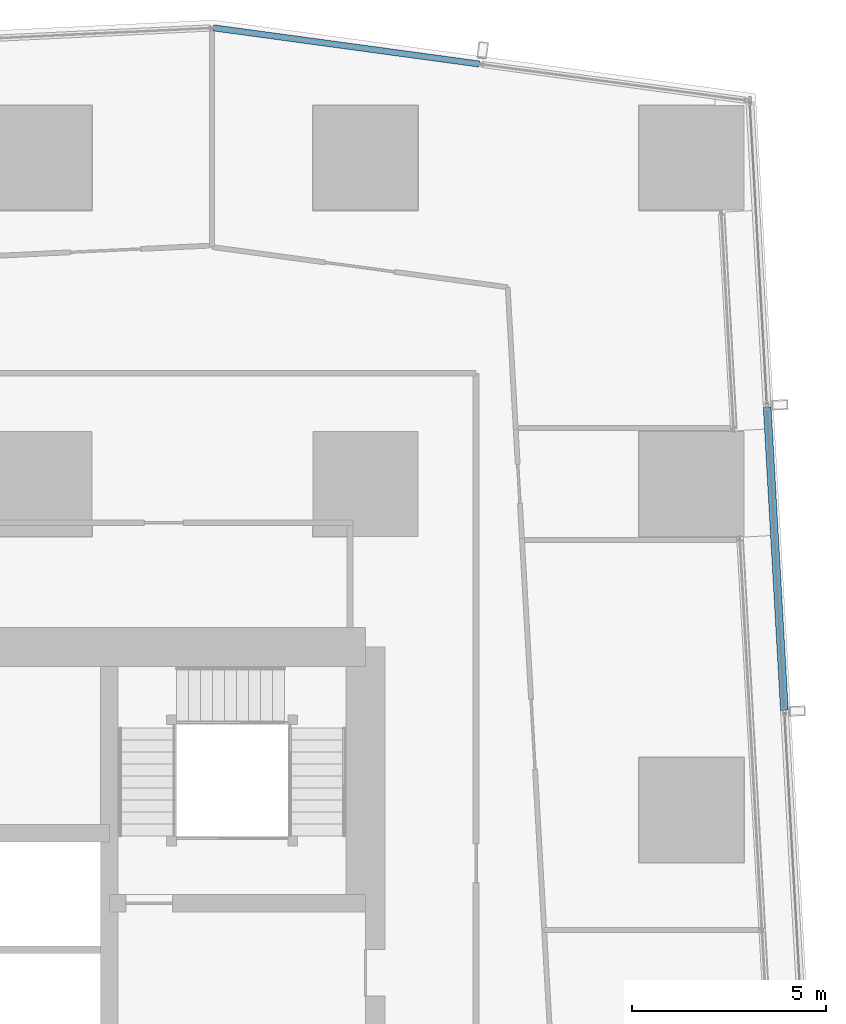
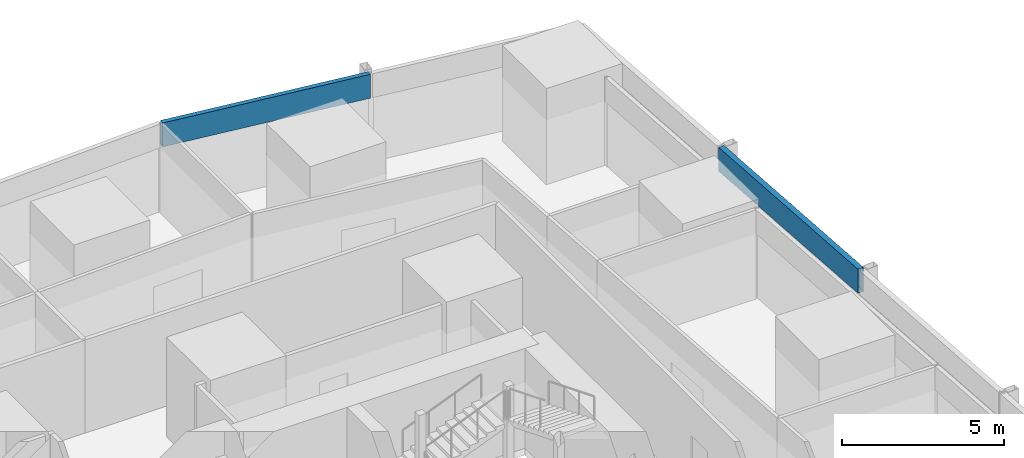
# One storey, part 20 of 36: 2 members, 2 elements without a shape of their own.
"""IFC4 building model written with IfcOpenShell, lengths in metres."""

from ifc_helpers import new_model, si_unit, direction, frame, origin, origin_2d, place, context, subcontext, project, spatial, hollow_rectangle, extrude, material, material_profile, profile_set, type_object, element, aggregate, save


model = new_model("IFC4")

# Units and contexts
model_context = context("Model", 3, precision=1e-05, world=origin(), true_north=direction((0.0, 1.0)))
body_context = subcontext(model_context, "Body", "Model", "MODEL_VIEW")
ifc_project = project(units=[si_unit("LENGTHUNIT", "METRE"), si_unit("AREAUNIT", "SQUARE_METRE"), si_unit("VOLUMEUNIT", "CUBIC_METRE"), si_unit("PLANEANGLEUNIT", "RADIAN"), si_unit("MASSUNIT", "GRAM", prefix="KILO")], contexts=[model_context])

# Site, building, storey
site_placement = place(None, origin())
site = spatial("IfcSite", under=ifc_project, at=site_placement, CompositionType="ELEMENT")
building_placement = place(site_placement, origin())
building = spatial("IfcBuilding", under=site, at=building_placement, Name="Rekha Terrace Tower", CompositionType="ELEMENT")
storey_placement = place(building_placement, frame((0.0, 0.0, 172.699951171875)))
storey = spatial("IfcBuildingStorey", under=building, at=storey_placement, Name="L43", CompositionType="ELEMENT", Elevation=172.699951171875)

# Curtain wall, member
ifc_material_1 = material(Name="Aluminium framing", Category="aluminium")
curtain_wall_type_1 = type_object("IfcCurtainWallType", Name="CW2 double skin outer glazing", PredefinedType="USERDEFINED", material=ifc_material_1)
curtain_wall_1_placement = place(storey_placement, origin())
curtain_wall_1 = element("IfcCurtainWall", 1, at=curtain_wall_1_placement, inside=storey, type_object=curtain_wall_type_1, Name="CW2 double skin outer glazing", ObjectType="DOUBLE SKIN OUTER GLAZING", PredefinedType="USERDEFINED")
ifc_material_2 = material(Name="Insulated aluminium spandrel box", Category="aluminium")
ifc_material_profile_1 = material_profile(ifc_material_2, hollow_rectangle(XDim=0.199951171875, YDim=0.89990234375, WallThickness=0.0029296875, at=origin_2d()), Name="AL SPANDREL BOX 200x900")
ifc_profile_set_1 = profile_set([ifc_material_profile_1], Name="Insulated aluminium spandrel box")
member_type_1 = type_object("IfcMemberType", Name="CW2 spandrel transom 200 x 900", PredefinedType="USERDEFINED", material=ifc_profile_set_1)
member_1_placement = place(storey_placement, frame((61.19140625, 44.567626953125, 3.050048828125), z_axis=(-0.056702299999, 0.998391130357, 0.0), x_axis=(-0.998391130357, -0.056702299999, 0.0)))
member_1 = element("IfcMember", 2, at=member_1_placement, type_object=member_type_1, Name="CW2 spandrel transom 3", ObjectType="TRANSOM", PredefinedType="USERDEFINED", context=body_context, shape_type="SweptSolid", body=[
    extrude(hollow_rectangle(XDim=0.199951171875, YDim=0.89990234375, WallThickness=0.0029296875, at=origin_2d()), origin(), (0.0, 0.0, 1.0), 7.823486328125),
])
aggregate(curtain_wall_1, [member_1])

curtain_wall_type_2 = type_object("IfcCurtainWallType", Name="CW3 north unitised glazing", PredefinedType="USERDEFINED", material=ifc_material_1)
curtain_wall_2_placement = place(storey_placement, origin())
curtain_wall_2 = element("IfcCurtainWall", 3, at=curtain_wall_2_placement, inside=storey, type_object=curtain_wall_type_2, Name="CW3 unitised curtain wall", ObjectType="UNITISED CURTAIN WALL", PredefinedType="USERDEFINED")
ifc_material_profile_2 = material_profile(ifc_material_2, hollow_rectangle(XDim=0.159912109375, YDim=0.89990234375, WallThickness=0.0029296875, at=origin_2d()), Name="AL SPANDREL BOX 160x900")
ifc_profile_set_2 = profile_set([ifc_material_profile_2], Name="Insulated aluminium spandrel box")
member_type_2 = type_object("IfcMemberType", Name="CW3 spandrel transom 160 x 900", PredefinedType="USERDEFINED", material=ifc_profile_set_2)
member_2_placement = place(storey_placement, frame((53.334716796875, 61.21630859375, 3.050048828125), z_axis=(-0.990863635349, 0.134867550367, 0.0), x_axis=(-0.134867550367, -0.990863635349, 0.0)))
member_2 = element("IfcMember", 4, at=member_2_placement, type_object=member_type_2, Name="CW3 spandrel transom 2", ObjectType="TRANSOM", PredefinedType="USERDEFINED", context=body_context, shape_type="SweptSolid", body=[
    extrude(hollow_rectangle(XDim=0.159912109375, YDim=0.89990234375, WallThickness=0.0029296875, at=origin_2d()), origin(), (0.0, 0.0, 1.0), 6.918701171875),
])
aggregate(curtain_wall_2, [member_2])

save(model, "model.ifc")
